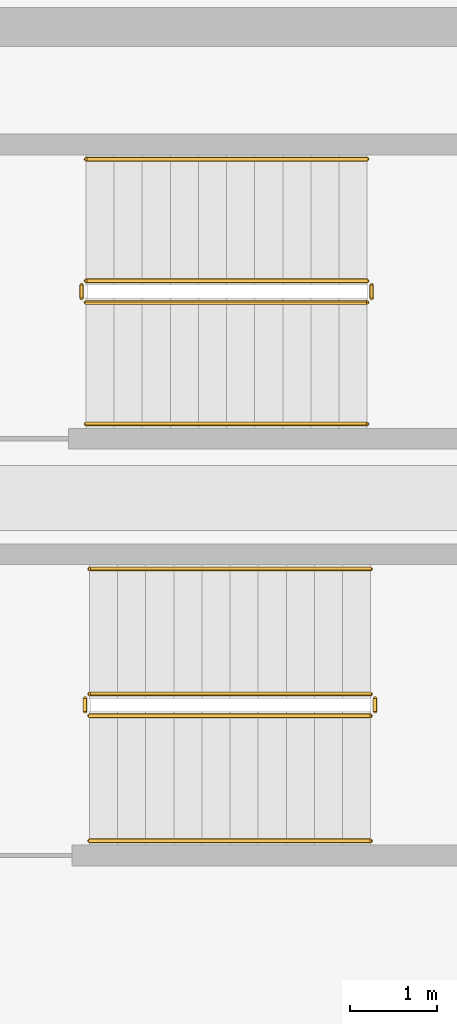
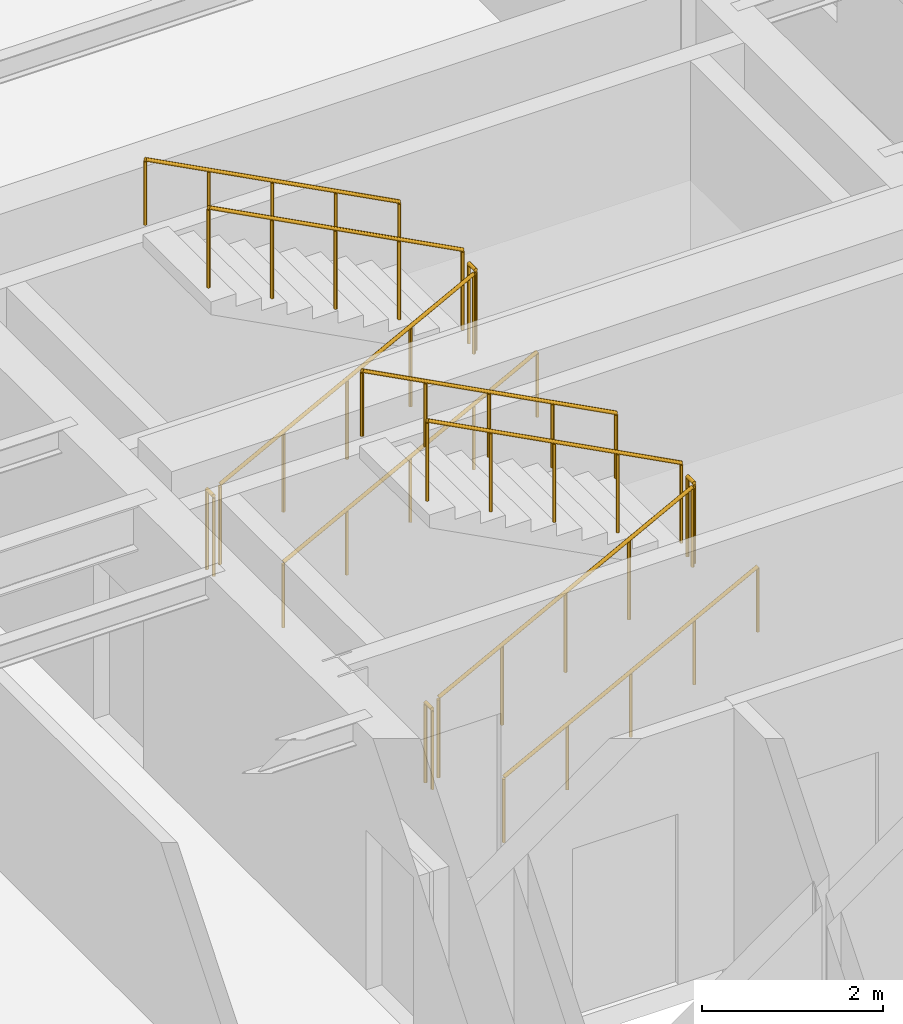
# One storey, part 13 of 14: 12 railings.
"""IFC4 building model written with IfcOpenShell, lengths in metres."""

import ifcopenshell
import ifcopenshell.guid

model = None  # the IFC model being written
_history = None  # IfcOwnerHistory: only IFC2X3 demands one
_inside = {}  # id of a spatial element -> (the spatial element, [elements in it])
_under = {}  # id of a project, library or spatial element -> (it, [spatial elements below it])
_declared = {}  # id of a project -> (the project, [libraries it declares])
_typed = {}  # id of a type object -> (the type object, [elements of that type])
_made_of = {}  # id of a material, layer set ... -> (it, [elements and type objects made of it])


def new_model(schema):
    """Start an empty IFC model of exactly this schema.

    Asked for "IFC4X3", IfcOpenShell would pick the latest addendum, in which some entities
    have other attributes; the version numbers below select the first issue.
    IFC2X3 requires an IfcOwnerHistory on every rooted entity: one is made here for all.
    """
    global model, _history
    if schema == "IFC4X3":
        model = ifcopenshell.file(schema_version=(4, 3, 0, 0))
    else:
        model = ifcopenshell.file(schema=schema)
    _inside.clear()
    _under.clear()
    _declared.clear()
    _typed.clear()
    _made_of.clear()
    _history = None
    if model.schema == "IFC2X3":
        org = make("IfcOrganization", Name="unknown")
        user = make(
            "IfcPersonAndOrganization",
            ThePerson=make("IfcPerson", FamilyName="unknown"),
            TheOrganization=org,
        )
        app = make(
            "IfcApplication",
            ApplicationDeveloper=org,
            Version="unknown",
            ApplicationFullName="unknown",
            ApplicationIdentifier="unknown",
        )
        _history = make(
            "IfcOwnerHistory",
            OwningUser=user,
            OwningApplication=app,
            ChangeAction="ADDED",
            CreationDate=0,
        )
    return model


def make(cls, **values):
    """One entity of the class cls with the attributes given. An attribute that is None is left unset."""
    return model.create_entity(
        cls, **{name: value for name, value in values.items() if value is not None}
    )


def rooted(cls, **values):
    """An entity with a GlobalId (a new one), such as an element, a storey or a relation."""
    return make(cls, GlobalId=ifcopenshell.guid.new(), OwnerHistory=_history, **values)


def si_unit(unit_type, name, prefix=None):
    """IfcSIUnit, for example si_unit("LENGTHUNIT", "METRE", prefix="MILLI")."""
    return make("IfcSIUnit", UnitType=unit_type, Prefix=prefix, Name=name)


def assignment(units):
    """IfcUnitAssignment: the units of a project."""
    return None if units is None else make("IfcUnitAssignment", Units=units)


def point(xyz):
    """IfcCartesianPoint."""
    return None if xyz is None else make("IfcCartesianPoint", Coordinates=xyz)


def direction(xyz):
    """IfcDirection."""
    return None if xyz is None else make("IfcDirection", DirectionRatios=xyz)


def frame(location, z_axis=None, x_axis=None):
    """IfcAxis2Placement3D, a coordinate frame: its origin and axes. An axis left out is left unset."""
    return make(
        "IfcAxis2Placement3D",
        Location=point(location),
        Axis=direction(z_axis),
        RefDirection=direction(x_axis),
    )


def frame_2d(location, x_axis=None):
    """IfcAxis2Placement2D, a coordinate frame in the plane: its origin and x axis."""
    return make(
        "IfcAxis2Placement2D", Location=point(location), RefDirection=direction(x_axis)
    )


def origin():
    """The frame at (0, 0, 0) with its axes left unset."""
    return frame((0.0, 0.0, 0.0))


def origin_2d():
    """The frame at (0, 0) in the plane with its x axis left unset."""
    return frame_2d((0.0, 0.0))


def place(relative_to, where):
    """IfcLocalPlacement: puts the frame where relative to a parent placement (None: the world)."""
    return make(
        "IfcLocalPlacement", PlacementRelTo=relative_to, RelativePlacement=where
    )


def context(
    kind, dimensions, precision=None, world=None, true_north=None, identifier=None
):
    """IfcGeometricRepresentationContext, for example the 3D "Model" context."""
    return make(
        "IfcGeometricRepresentationContext",
        ContextIdentifier=identifier,
        ContextType=kind,
        CoordinateSpaceDimension=dimensions,
        Precision=precision,
        WorldCoordinateSystem=world,
        TrueNorth=true_north,
    )


def subcontext(parent, identifier, kind, view, scale=None):
    """IfcGeometricRepresentationSubContext, for example "Body" below "Model"."""
    return make(
        "IfcGeometricRepresentationSubContext",
        ContextIdentifier=identifier,
        ContextType=kind,
        ParentContext=parent,
        TargetScale=scale,
        TargetView=view,
    )


def project(units=None, contexts=None):
    """IfcProject with its units and contexts."""
    return rooted(
        "IfcProject",
        Name="project",
        RepresentationContexts=contexts,
        UnitsInContext=assignment(units),
    )


def spatial(cls, under=None, at=None, **own):
    """A site, building, storey or space (cls), placed at a placement, below another one or the project."""
    s = rooted(cls, ObjectPlacement=at, **own)
    if under is not None:
        _under.setdefault(under.id(), (under, []))[1].append(s)
    return s


def profile(cls, at=None, kind="AREA", **sizes):
    """A parametric profile (cls). Its sizes go by their IFC names, for example OverallWidth=200.0."""
    return make(cls, ProfileType=kind, Position=at, **sizes)


def circle(**sizes):
    """IfcCircleProfileDef."""
    return profile("IfcCircleProfileDef", **sizes)


def extrude(swept, where, along, depth):
    """IfcExtrudedAreaSolid: the profile swept, set in the frame where, extruded along a direction by depth."""
    return make(
        "IfcExtrudedAreaSolid",
        SweptArea=swept,
        Position=where,
        ExtrudedDirection=direction(along),
        Depth=depth,
    )


def shape(context_of_items, identifier, shape_type, items):
    """IfcShapeRepresentation: the items that make up one representation, for example the "Body"."""
    return make(
        "IfcShapeRepresentation",
        ContextOfItems=context_of_items,
        RepresentationIdentifier=identifier,
        RepresentationType=shape_type,
        Items=items,
    )


def material(Name=None, Category=None):
    """IfcMaterial."""
    return make("IfcMaterial", Name=Name, Category=Category)


def made_of(thing, what):
    """Note that an element or type object is made of a material, layer set ...; save() writes the relation."""
    if what is not None:
        _made_of.setdefault(what.id(), (what, []))[1].append(thing)
    return thing


def type_object(cls, material=None, **own):
    """A type object (cls), such as IfcWallType, which elements share."""
    return made_of(rooted(cls, **own), material)


def element(
    cls,
    number,
    at=None,
    inside=None,
    cuts=None,
    type_object=None,
    material=None,
    context=None,
    identifier="Body",
    shape_type=None,
    held_by="IfcProductDefinitionShape",
    body=None,
    shapes=None,
    **own,
):
    """One element of the class cls, such as IfcWall. Its Tag is "e" and its number.

    at: its placement. inside: the storey or other place that contains it. cuts: it is an
    opening in that element (IfcRelVoidsElement). A single representation is given by context,
    identifier, shape_type and body (its items); several are given by shapes. held_by: the class
    of the entity that holds the representations. save() writes the other relations.
    """
    e = rooted(cls, Tag="e%d" % number, ObjectPlacement=at, **own)
    if body is not None:
        shapes = [shape(context, identifier, shape_type, body)]
    if shapes is not None:
        e.Representation = make(held_by, Representations=shapes)
    if inside is not None:
        _inside.setdefault(inside.id(), (inside, []))[1].append(e)
    if cuts is not None:
        rooted(
            "IfcRelVoidsElement", RelatingBuildingElement=cuts, RelatedOpeningElement=e
        )
    if type_object is not None:
        _typed.setdefault(type_object.id(), (type_object, []))[1].append(e)
    return made_of(e, material)


def aggregate(whole, parts):
    """IfcRelAggregates: a whole, such as a stair, and the parts it consists of."""
    return rooted("IfcRelAggregates", RelatingObject=whole, RelatedObjects=parts)


def save(model, path):
    """Write the relations noted so far, then the file.

    IfcRelAggregates (storeys below a building ...), IfcRelContainedInSpatialStructure (elements
    in a storey), IfcRelDefinesByType, IfcRelAssociatesMaterial and IfcRelDeclares: one each for
    every whole, place, type object, material and project.
    """
    for whole, parts in _under.values():
        aggregate(whole, parts)
    for where, things in _inside.values():
        rooted(
            "IfcRelContainedInSpatialStructure",
            RelatedElements=things,
            RelatingStructure=where,
        )
    for kind, things in _typed.values():
        rooted("IfcRelDefinesByType", RelatedObjects=things, RelatingType=kind)
    for what, things in _made_of.values():
        rooted("IfcRelAssociatesMaterial", RelatedObjects=things, RelatingMaterial=what)
    for by, libraries in _declared.values():
        rooted("IfcRelDeclares", RelatingContext=by, RelatedDefinitions=libraries)
    model.write(path)


model = new_model("IFC4")

# Units and contexts
model_context = context("Model", 3, precision=1e-05, world=origin(), true_north=direction((0.0, 1.0)))
body_context = subcontext(model_context, "Body", "Model", "MODEL_VIEW")
ifc_project = project(units=[si_unit("LENGTHUNIT", "METRE"), si_unit("AREAUNIT", "SQUARE_METRE"), si_unit("VOLUMEUNIT", "CUBIC_METRE"), si_unit("PLANEANGLEUNIT", "RADIAN"), si_unit("MASSUNIT", "GRAM", prefix="KILO")], contexts=[model_context])

# Site, building, storey
site_placement = place(None, origin())
site = spatial("IfcSite", under=ifc_project, at=site_placement, CompositionType="ELEMENT")
building_placement = place(site_placement, origin())
building = spatial("IfcBuilding", under=site, at=building_placement, Name="Kolvaren Arena Tower", CompositionType="ELEMENT")
storey_placement = place(building_placement, frame((0.0, 0.0, 297.39990234375)))
storey = spatial("IfcBuildingStorey", under=building, at=storey_placement, Name="L73", CompositionType="ELEMENT", Elevation=297.39990234375)

# Railings
ifc_material_1 = material(Name="Painted galvanized steel", Category="steel")
railing_type_1 = type_object("IfcRailingType", Name="GUARD-ST-110", PredefinedType="GUARDRAIL", material=ifc_material_1)
railing_1_placement = place(storey_placement, frame((52.719970703125, 31.639892578125, 0.170654296875)))
element("IfcRailing", 1, at=railing_1_placement, inside=storey, type_object=railing_type_1, Name="L73 ST-E1 stair guard 1", PredefinedType="GUARDRAIL", context=body_context, shape_type="SweptSolid", body=[
    extrude(circle(Radius=0.02392578125, at=origin_2d()), frame((0.0, 0.0, 1.076171875), z_axis=(0.885020909582, 0.0, 0.465551274945), x_axis=(0.0, 1.0, 0.0)), (0.0, 0.0, 1.0), 3.660888671875),
    extrude(circle(Radius=0.02099609375, at=origin_2d()), origin(), (0.0, 0.0, 1.0), 1.052001953125),
    extrude(circle(Radius=0.02099609375, at=origin_2d()), frame((0.81005859375, 0.0, 0.426025390625)), (0.0, 0.0, 1.0), 1.052001953125),
    extrude(circle(Radius=0.02099609375, at=origin_2d()), frame((1.6201171875, 0.0, 0.85205078125)), (0.0, 0.0, 1.0), 1.052001953125),
    extrude(circle(Radius=0.02099609375, at=origin_2d()), frame((2.429931640625, 0.0, 1.2783203125)), (0.0, 0.0, 1.0), 1.052001953125),
    extrude(circle(Radius=0.02099609375, at=origin_2d()), frame((3.239990234375, 0.0, 1.704345703125)), (0.0, 0.0, 1.0), 1.052001953125),
])
railing_2_placement = place(storey_placement, frame((56.010009765625, 31.68994140625, 1.875)))
element("IfcRailing", 2, at=railing_2_placement, inside=storey, type_object=railing_type_1, Name="L73 ST-E1 stair guard 2", PredefinedType="GUARDRAIL", context=body_context, shape_type="SweptSolid", body=[
    extrude(circle(Radius=0.02392578125, at=origin_2d()), frame((0.0, 0.0, 1.076171875), z_axis=(0.0, 1.0, 0.0), x_axis=(-1.0, 0.0, 0.0)), (0.0, 0.0, 1.0), 0.150146484375),
    extrude(circle(Radius=0.02099609375, at=origin_2d()), origin(), (0.0, 0.0, 1.0), 1.052001953125),
    extrude(circle(Radius=0.02099609375, at=origin_2d()), frame((0.0, 0.150146484375, 0.0)), (0.0, 0.0, 1.0), 1.052001953125),
])
railing_3_placement = place(storey_placement, frame((55.9599609375, 31.889892578125, 2.045654296875)))
element("IfcRailing", 3, at=railing_3_placement, inside=storey, type_object=railing_type_1, Name="L73 ST-E1 stair guard 3", PredefinedType="GUARDRAIL", context=body_context, shape_type="SweptSolid", body=[
    extrude(circle(Radius=0.02392578125, at=origin_2d()), frame((0.0, 0.0, 1.076171875), z_axis=(-0.885020909582, 0.0, 0.465551274945), x_axis=(0.0, -1.0, 0.0)), (0.0, 0.0, 1.0), 3.660888671875),
    extrude(circle(Radius=0.02099609375, at=origin_2d()), origin(), (0.0, 0.0, 1.0), 1.052001953125),
    extrude(circle(Radius=0.02099609375, at=origin_2d()), frame((-0.81005859375, 0.0, 0.426025390625)), (0.0, 0.0, 1.0), 1.052001953125),
    extrude(circle(Radius=0.02099609375, at=origin_2d()), frame((-1.6201171875, 0.0, 0.85205078125)), (0.0, 0.0, 1.0), 1.052001953125),
    extrude(circle(Radius=0.02099609375, at=origin_2d()), frame((-2.429931640625, 0.0, 1.2783203125)), (0.0, 0.0, 1.0), 1.052001953125),
    extrude(circle(Radius=0.02099609375, at=origin_2d()), frame((-3.239990234375, 0.0, 1.704345703125)), (0.0, 0.0, 1.0), 1.052001953125),
])
railing_4_placement = place(storey_placement, frame((52.669921875, 31.68994140625, 0.0)))
element("IfcRailing", 4, at=railing_4_placement, inside=storey, type_object=railing_type_1, Name="L73 ST-E1 stair guard 4", PredefinedType="GUARDRAIL", context=body_context, shape_type="SweptSolid", body=[
    extrude(circle(Radius=0.02392578125, at=origin_2d()), frame((0.0, 0.0, 1.076171875), z_axis=(0.0, 1.0, 0.0), x_axis=(-1.0, 0.0, 0.0)), (0.0, 0.0, 1.0), 0.150146484375),
    extrude(circle(Radius=0.02099609375, at=origin_2d()), origin(), (0.0, 0.0, 1.0), 1.052001953125),
    extrude(circle(Radius=0.02099609375, at=origin_2d()), frame((0.0, 0.150146484375, 0.0)), (0.0, 0.0, 1.0), 1.052001953125),
])
railing_5_placement = place(storey_placement, frame((52.679931640625, 36.39990234375, 0.170654296875)))
element("IfcRailing", 5, at=railing_5_placement, inside=storey, type_object=railing_type_1, Name="L73 ST-E2 stair guard 1", PredefinedType="GUARDRAIL", context=body_context, shape_type="SweptSolid", body=[
    extrude(circle(Radius=0.02392578125, at=origin_2d()), frame((0.0, 0.0, 1.076171875), z_axis=(0.885020909582, 0.0, 0.465551274945), x_axis=(0.0, 1.0, 0.0)), (0.0, 0.0, 1.0), 3.660888671875),
    extrude(circle(Radius=0.02099609375, at=origin_2d()), origin(), (0.0, 0.0, 1.0), 1.052001953125),
    extrude(circle(Radius=0.02099609375, at=origin_2d()), frame((0.81005859375, 0.0, 0.426025390625)), (0.0, 0.0, 1.0), 1.052001953125),
    extrude(circle(Radius=0.02099609375, at=origin_2d()), frame((1.6201171875, 0.0, 0.85205078125)), (0.0, 0.0, 1.0), 1.052001953125),
    extrude(circle(Radius=0.02099609375, at=origin_2d()), frame((2.429931640625, 0.0, 1.2783203125)), (0.0, 0.0, 1.0), 1.052001953125),
    extrude(circle(Radius=0.02099609375, at=origin_2d()), frame((3.239990234375, 0.0, 1.704345703125)), (0.0, 0.0, 1.0), 1.052001953125),
])
railing_6_placement = place(storey_placement, frame((55.969970703125, 36.449951171875, 1.875)))
element("IfcRailing", 6, at=railing_6_placement, inside=storey, type_object=railing_type_1, Name="L73 ST-E2 stair guard 2", PredefinedType="GUARDRAIL", context=body_context, shape_type="SweptSolid", body=[
    extrude(circle(Radius=0.02392578125, at=origin_2d()), frame((0.0, 0.0, 1.076171875), z_axis=(0.0, 1.0, 0.0), x_axis=(-1.0, 0.0, 0.0)), (0.0, 0.0, 1.0), 0.150146484375),
    extrude(circle(Radius=0.02099609375, at=origin_2d()), origin(), (0.0, 0.0, 1.0), 1.052001953125),
    extrude(circle(Radius=0.02099609375, at=origin_2d()), frame((0.0, 0.150146484375, 0.0)), (0.0, 0.0, 1.0), 1.052001953125),
])
railing_7_placement = place(storey_placement, frame((55.919921875, 36.64990234375, 2.045654296875)))
element("IfcRailing", 7, at=railing_7_placement, inside=storey, type_object=railing_type_1, Name="L73 ST-E2 stair guard 3", PredefinedType="GUARDRAIL", context=body_context, shape_type="SweptSolid", body=[
    extrude(circle(Radius=0.02392578125, at=origin_2d()), frame((0.0, 0.0, 1.076171875), z_axis=(-0.885020909582, 0.0, 0.465551274945), x_axis=(0.0, -1.0, 0.0)), (0.0, 0.0, 1.0), 3.660888671875),
    extrude(circle(Radius=0.02099609375, at=origin_2d()), origin(), (0.0, 0.0, 1.0), 1.052001953125),
    extrude(circle(Radius=0.02099609375, at=origin_2d()), frame((-0.81005859375, 0.0, 0.426025390625)), (0.0, 0.0, 1.0), 1.052001953125),
    extrude(circle(Radius=0.02099609375, at=origin_2d()), frame((-1.6201171875, 0.0, 0.85205078125)), (0.0, 0.0, 1.0), 1.052001953125),
    extrude(circle(Radius=0.02099609375, at=origin_2d()), frame((-2.429931640625, 0.0, 1.2783203125)), (0.0, 0.0, 1.0), 1.052001953125),
    extrude(circle(Radius=0.02099609375, at=origin_2d()), frame((-3.239990234375, 0.0, 1.704345703125)), (0.0, 0.0, 1.0), 1.052001953125),
])
railing_8_placement = place(storey_placement, frame((52.6298828125, 36.449951171875, 0.0)))
element("IfcRailing", 8, at=railing_8_placement, inside=storey, type_object=railing_type_1, Name="L73 ST-E2 stair guard 4", PredefinedType="GUARDRAIL", context=body_context, shape_type="SweptSolid", body=[
    extrude(circle(Radius=0.02392578125, at=origin_2d()), frame((0.0, 0.0, 1.076171875), z_axis=(0.0, 1.0, 0.0), x_axis=(-1.0, 0.0, 0.0)), (0.0, 0.0, 1.0), 0.150146484375),
    extrude(circle(Radius=0.02099609375, at=origin_2d()), origin(), (0.0, 0.0, 1.0), 1.052001953125),
    extrude(circle(Radius=0.02099609375, at=origin_2d()), frame((0.0, 0.150146484375, 0.0)), (0.0, 0.0, 1.0), 1.052001953125),
])
ifc_material_2 = material(Name="Brushed stainless steel handrail", Category="steel")
railing_type_2 = type_object("IfcRailingType", Name="HRAIL-900", PredefinedType="HANDRAIL", material=ifc_material_2)
railing_9_placement = place(storey_placement, frame((52.719970703125, 30.199951171875, 0.170654296875)))
element("IfcRailing", 9, at=railing_9_placement, inside=storey, type_object=railing_type_2, Name="L73 ST-E1 stair handrail 1", PredefinedType="HANDRAIL", context=body_context, shape_type="SweptSolid", body=[
    extrude(circle(Radius=0.02392578125, at=origin_2d()), frame((0.0, 0.0, 0.8759765625), z_axis=(0.885020909582, 0.0, 0.465551274945), x_axis=(0.0, 1.0, 0.0)), (0.0, 0.0, 1.0), 3.660888671875),
    extrude(circle(Radius=0.02099609375, at=origin_2d()), origin(), (0.0, 0.0, 1.0), 0.851806640625),
    extrude(circle(Radius=0.02099609375, at=origin_2d()), frame((0.81005859375, 0.0, 0.426025390625)), (0.0, 0.0, 1.0), 0.851806640625),
    extrude(circle(Radius=0.02099609375, at=origin_2d()), frame((1.6201171875, 0.0, 0.85205078125)), (0.0, 0.0, 1.0), 0.851806640625),
    extrude(circle(Radius=0.02099609375, at=origin_2d()), frame((2.429931640625, 0.0, 1.2783203125)), (0.0, 0.0, 1.0), 0.851806640625),
    extrude(circle(Radius=0.02099609375, at=origin_2d()), frame((3.239990234375, 0.0, 1.704345703125)), (0.0, 0.0, 1.0), 0.851806640625),
])
railing_10_placement = place(storey_placement, frame((55.9599609375, 33.330078125, 2.045654296875)))
element("IfcRailing", 10, at=railing_10_placement, inside=storey, type_object=railing_type_2, Name="L73 ST-E1 stair handrail 2", PredefinedType="HANDRAIL", context=body_context, shape_type="SweptSolid", body=[
    extrude(circle(Radius=0.02392578125, at=origin_2d()), frame((0.0, 0.0, 0.8759765625), z_axis=(-0.885020909582, 0.0, 0.465551274945), x_axis=(0.0, -1.0, 0.0)), (0.0, 0.0, 1.0), 3.660888671875),
    extrude(circle(Radius=0.02099609375, at=origin_2d()), origin(), (0.0, 0.0, 1.0), 0.851806640625),
    extrude(circle(Radius=0.02099609375, at=origin_2d()), frame((-0.81005859375, 0.0, 0.426025390625)), (0.0, 0.0, 1.0), 0.851806640625),
    extrude(circle(Radius=0.02099609375, at=origin_2d()), frame((-1.6201171875, 0.0, 0.85205078125)), (0.0, 0.0, 1.0), 0.851806640625),
    extrude(circle(Radius=0.02099609375, at=origin_2d()), frame((-2.429931640625, 0.0, 1.2783203125)), (0.0, 0.0, 1.0), 0.851806640625),
    extrude(circle(Radius=0.02099609375, at=origin_2d()), frame((-3.239990234375, 0.0, 1.704345703125)), (0.0, 0.0, 1.0), 0.851806640625),
])
railing_11_placement = place(storey_placement, frame((52.679931640625, 35.0, 0.170654296875)))
element("IfcRailing", 11, at=railing_11_placement, inside=storey, type_object=railing_type_2, Name="L73 ST-E2 stair handrail 1", PredefinedType="HANDRAIL", context=body_context, shape_type="SweptSolid", body=[
    extrude(circle(Radius=0.02392578125, at=origin_2d()), frame((0.0, 0.0, 0.8759765625), z_axis=(0.885020909582, 0.0, 0.465551274945), x_axis=(0.0, 1.0, 0.0)), (0.0, 0.0, 1.0), 3.660888671875),
    extrude(circle(Radius=0.02099609375, at=origin_2d()), origin(), (0.0, 0.0, 1.0), 0.851806640625),
    extrude(circle(Radius=0.02099609375, at=origin_2d()), frame((0.81005859375, 0.0, 0.426025390625)), (0.0, 0.0, 1.0), 0.851806640625),
    extrude(circle(Radius=0.02099609375, at=origin_2d()), frame((1.6201171875, 0.0, 0.85205078125)), (0.0, 0.0, 1.0), 0.851806640625),
    extrude(circle(Radius=0.02099609375, at=origin_2d()), frame((2.429931640625, 0.0, 1.2783203125)), (0.0, 0.0, 1.0), 0.851806640625),
    extrude(circle(Radius=0.02099609375, at=origin_2d()), frame((3.239990234375, 0.0, 1.704345703125)), (0.0, 0.0, 1.0), 0.851806640625),
])
railing_12_placement = place(storey_placement, frame((55.919921875, 38.050048828125, 2.045654296875)))
element("IfcRailing", 12, at=railing_12_placement, inside=storey, type_object=railing_type_2, Name="L73 ST-E2 stair handrail 2", PredefinedType="HANDRAIL", context=body_context, shape_type="SweptSolid", body=[
    extrude(circle(Radius=0.02392578125, at=origin_2d()), frame((0.0, 0.0, 0.8759765625), z_axis=(-0.885020909582, 0.0, 0.465551274945), x_axis=(0.0, -1.0, 0.0)), (0.0, 0.0, 1.0), 3.660888671875),
    extrude(circle(Radius=0.02099609375, at=origin_2d()), origin(), (0.0, 0.0, 1.0), 0.851806640625),
    extrude(circle(Radius=0.02099609375, at=origin_2d()), frame((-0.81005859375, 0.0, 0.426025390625)), (0.0, 0.0, 1.0), 0.851806640625),
    extrude(circle(Radius=0.02099609375, at=origin_2d()), frame((-1.6201171875, 0.0, 0.85205078125)), (0.0, 0.0, 1.0), 0.851806640625),
    extrude(circle(Radius=0.02099609375, at=origin_2d()), frame((-2.429931640625, 0.0, 1.2783203125)), (0.0, 0.0, 1.0), 0.851806640625),
    extrude(circle(Radius=0.02099609375, at=origin_2d()), frame((-3.239990234375, 0.0, 1.704345703125)), (0.0, 0.0, 1.0), 0.851806640625),
])

save(model, "model.ifc")
